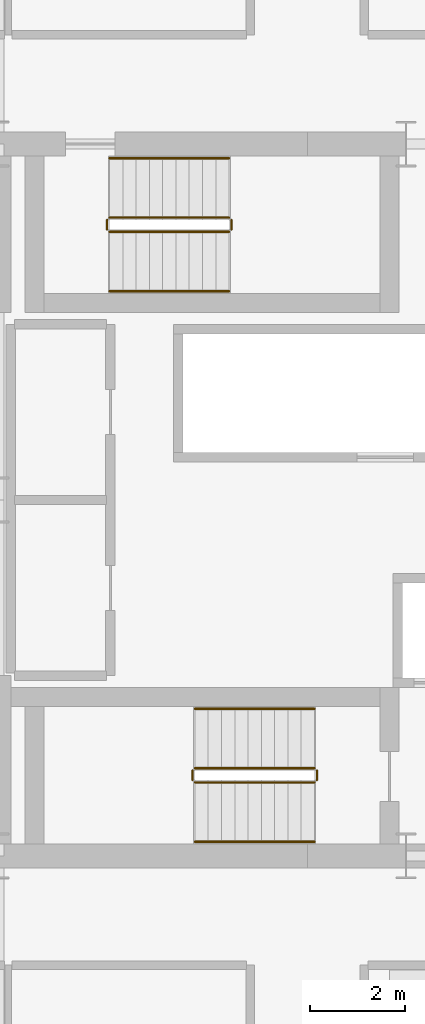
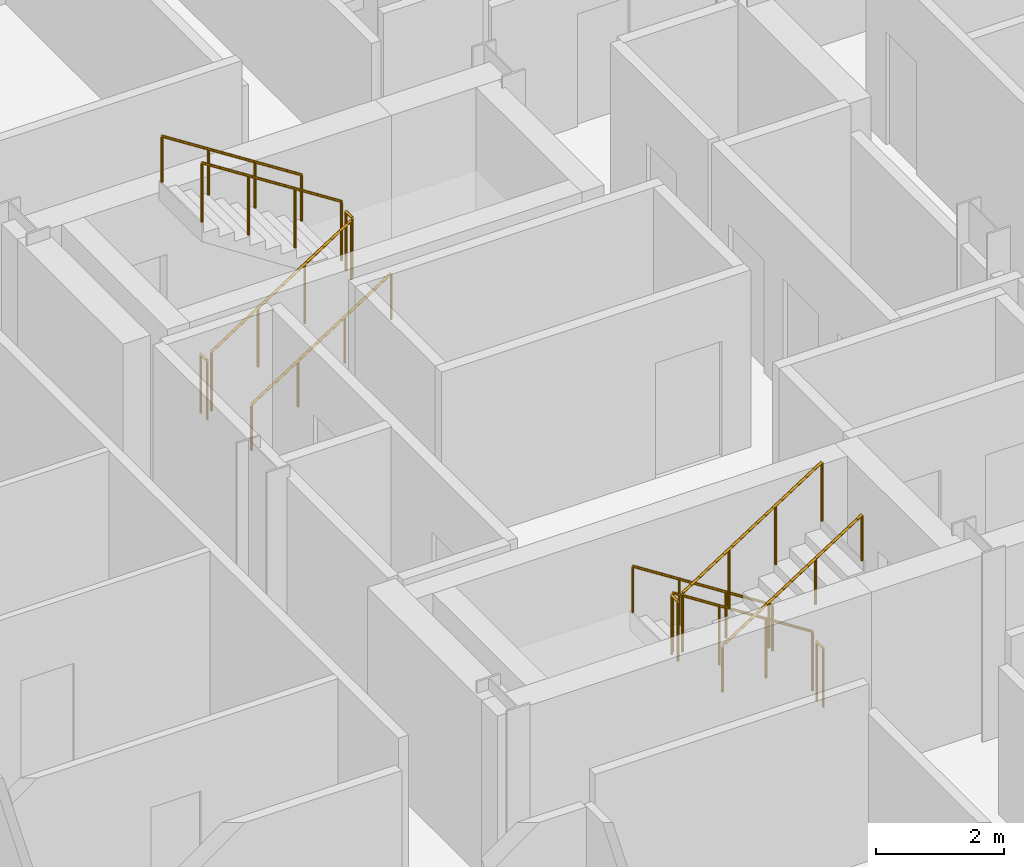
# One storey, part 22 of 23: 12 railings.
"""IFC4 building model written with IfcOpenShell, lengths in metres."""

from ifc_helpers import new_model, si_unit, direction, frame, origin, origin_2d, place, context, subcontext, project, spatial, circle, extrude, material, type_object, element, save


model = new_model("IFC4")

# Units and contexts
model_context = context("Model", 3, precision=1e-05, world=origin(), true_north=direction((0.0, 1.0)))
body_context = subcontext(model_context, "Body", "Model", "MODEL_VIEW")
ifc_project = project(units=[si_unit("LENGTHUNIT", "METRE"), si_unit("AREAUNIT", "SQUARE_METRE"), si_unit("VOLUMEUNIT", "CUBIC_METRE"), si_unit("PLANEANGLEUNIT", "RADIAN"), si_unit("MASSUNIT", "GRAM", prefix="KILO")], contexts=[model_context])

# Site, building, storey
site_placement = place(None, origin())
site = spatial("IfcSite", under=ifc_project, at=site_placement, CompositionType="ELEMENT")
building_placement = place(site_placement, origin())
building = spatial("IfcBuilding", under=site, at=building_placement, Name="Barlavira Tower and Art Museum", CompositionType="ELEMENT")
storey_placement = place(building_placement, frame((0.0, 0.0, 140.39990234375)))
storey = spatial("IfcBuildingStorey", under=building, at=storey_placement, Name="L35", CompositionType="ELEMENT", Elevation=140.39990234375)

# Railings
ifc_material = material(Name="Brushed stainless steel", Category="steel")
railing_type_1 = type_object("IfcRailingType", Name="Interior Void and Landing Guard Railing 1150", PredefinedType="GUARDRAIL", material=ifc_material)
railing_1_placement = place(storey_placement, frame((0.14990234375, -5.64990234375, 0.18017578125)))
element("IfcRailing", 1, at=railing_1_placement, inside=storey, type_object=railing_type_1, Name="L35 ST-T1 stair guard 1", PredefinedType="GUARDRAIL", context=body_context, shape_type="SweptSolid", body=[
    extrude(circle(Radius=0.02392578125, at=origin_2d()), frame((0.0, 0.0, 1.1259765625), z_axis=(-0.841199657755, 0.0, 0.540724639528), x_axis=(0.0, -1.0, 0.0)), (0.0, 0.0, 1.0), 2.995849609375),
    extrude(circle(Radius=0.02099609375, at=origin_2d()), origin(), (0.0, 0.0, 1.0), 1.101806640625),
    extrude(circle(Radius=0.02099609375, at=origin_2d()), frame((-0.840087890625, 0.0, 0.5400390625)), (0.0, 0.0, 1.0), 1.101806640625),
    extrude(circle(Radius=0.02099609375, at=origin_2d()), frame((-1.679931640625, 0.0, 1.079833984375)), (0.0, 0.0, 1.0), 1.101806640625),
    extrude(circle(Radius=0.02099609375, at=origin_2d()), frame((-2.52001953125, 0.0, 1.619873046875)), (0.0, 0.0, 1.0), 1.101806640625),
])
railing_2_placement = place(storey_placement, frame((-2.419921875, -5.699951171875, 1.800048828125)))
element("IfcRailing", 2, at=railing_2_placement, inside=storey, type_object=railing_type_1, Name="L35 ST-T1 stair guard 2", PredefinedType="GUARDRAIL", context=body_context, shape_type="SweptSolid", body=[
    extrude(circle(Radius=0.02392578125, at=origin_2d()), frame((0.0, 0.0, 1.1259765625), z_axis=(0.0, -1.0, 0.0), x_axis=(1.0, 0.0, 0.0)), (0.0, 0.0, 1.0), 0.199951171875),
    extrude(circle(Radius=0.02099609375, at=origin_2d()), origin(), (0.0, 0.0, 1.0), 1.101806640625),
    extrude(circle(Radius=0.02099609375, at=origin_2d()), frame((0.0, -0.199951171875, 0.0)), (0.0, 0.0, 1.0), 1.101806640625),
])
railing_3_placement = place(storey_placement, frame((-2.3701171875, -5.949951171875, 1.97998046875)))
element("IfcRailing", 3, at=railing_3_placement, inside=storey, type_object=railing_type_1, Name="L35 ST-T1 stair guard 3", PredefinedType="GUARDRAIL", context=body_context, shape_type="SweptSolid", body=[
    extrude(circle(Radius=0.02392578125, at=origin_2d()), frame((0.0, 0.0, 1.1259765625), z_axis=(0.841162588446, 0.0, 0.540782303519), x_axis=(0.0, 1.0, 0.0)), (0.0, 0.0, 1.0), 2.995849609375),
    extrude(circle(Radius=0.02099609375, at=origin_2d()), origin(), (0.0, 0.0, 1.0), 1.101806640625),
    extrude(circle(Radius=0.02099609375, at=origin_2d()), frame((0.840087890625, 0.0, 0.5400390625)), (0.0, 0.0, 1.0), 1.101806640625),
    extrude(circle(Radius=0.02099609375, at=origin_2d()), frame((1.679931640625, 0.0, 1.080078125)), (0.0, 0.0, 1.0), 1.101806640625),
    extrude(circle(Radius=0.02099609375, at=origin_2d()), frame((2.52001953125, 0.0, 1.6201171875)), (0.0, 0.0, 1.0), 1.101806640625),
])
railing_4_placement = place(storey_placement, frame((0.199951171875, -5.699951171875, 0.0)))
element("IfcRailing", 4, at=railing_4_placement, inside=storey, type_object=railing_type_1, Name="L35 ST-T1 stair guard 4", PredefinedType="GUARDRAIL", context=body_context, shape_type="SweptSolid", body=[
    extrude(circle(Radius=0.02392578125, at=origin_2d()), frame((0.0, 0.0, 1.1259765625), z_axis=(0.0, -1.0, 0.0), x_axis=(1.0, 0.0, 0.0)), (0.0, 0.0, 1.0), 0.199951171875),
    extrude(circle(Radius=0.02099609375, at=origin_2d()), origin(), (0.0, 0.0, 1.0), 1.101806640625),
    extrude(circle(Radius=0.02099609375, at=origin_2d()), frame((0.0, -0.199951171875, 0.0)), (0.0, 0.0, 1.0), 1.101806640625),
])
railing_5_placement = place(storey_placement, frame((-4.169921875, 5.64990234375, 0.18017578125)))
element("IfcRailing", 5, at=railing_5_placement, inside=storey, type_object=railing_type_1, Name="L35 ST-T2 stair guard 1", PredefinedType="GUARDRAIL", context=body_context, shape_type="SweptSolid", body=[
    extrude(circle(Radius=0.02392578125, at=origin_2d()), frame((0.0, 0.0, 1.1259765625), z_axis=(0.841199657755, 0.0, 0.540724639528), x_axis=(0.0, 1.0, 0.0)), (0.0, 0.0, 1.0), 2.995849609375),
    extrude(circle(Radius=0.02099609375, at=origin_2d()), origin(), (0.0, 0.0, 1.0), 1.101806640625),
    extrude(circle(Radius=0.02099609375, at=origin_2d()), frame((0.840087890625, 0.0, 0.5400390625)), (0.0, 0.0, 1.0), 1.101806640625),
    extrude(circle(Radius=0.02099609375, at=origin_2d()), frame((1.679931640625, 0.0, 1.079833984375)), (0.0, 0.0, 1.0), 1.101806640625),
    extrude(circle(Radius=0.02099609375, at=origin_2d()), frame((2.52001953125, 0.0, 1.619873046875)), (0.0, 0.0, 1.0), 1.101806640625),
])
railing_6_placement = place(storey_placement, frame((-1.60009765625, 5.699951171875, 1.800048828125)))
element("IfcRailing", 6, at=railing_6_placement, inside=storey, type_object=railing_type_1, Name="L35 ST-T2 stair guard 2", PredefinedType="GUARDRAIL", context=body_context, shape_type="SweptSolid", body=[
    extrude(circle(Radius=0.02392578125, at=origin_2d()), frame((0.0, 0.0, 1.1259765625), z_axis=(0.0, 1.0, 0.0), x_axis=(-1.0, 0.0, 0.0)), (0.0, 0.0, 1.0), 0.199951171875),
    extrude(circle(Radius=0.02099609375, at=origin_2d()), origin(), (0.0, 0.0, 1.0), 1.101806640625),
    extrude(circle(Radius=0.02099609375, at=origin_2d()), frame((0.0, 0.199951171875, 0.0)), (0.0, 0.0, 1.0), 1.101806640625),
])
railing_7_placement = place(storey_placement, frame((-1.64990234375, 5.949951171875, 1.97998046875)))
element("IfcRailing", 7, at=railing_7_placement, inside=storey, type_object=railing_type_1, Name="L35 ST-T2 stair guard 3", PredefinedType="GUARDRAIL", context=body_context, shape_type="SweptSolid", body=[
    extrude(circle(Radius=0.02392578125, at=origin_2d()), frame((0.0, 0.0, 1.1259765625), z_axis=(-0.841162588446, 0.0, 0.540782303519), x_axis=(0.0, -1.0, 0.0)), (0.0, 0.0, 1.0), 2.995849609375),
    extrude(circle(Radius=0.02099609375, at=origin_2d()), origin(), (0.0, 0.0, 1.0), 1.101806640625),
    extrude(circle(Radius=0.02099609375, at=origin_2d()), frame((-0.840087890625, 0.0, 0.5400390625)), (0.0, 0.0, 1.0), 1.101806640625),
    extrude(circle(Radius=0.02099609375, at=origin_2d()), frame((-1.679931640625, 0.0, 1.080078125)), (0.0, 0.0, 1.0), 1.101806640625),
    extrude(circle(Radius=0.02099609375, at=origin_2d()), frame((-2.52001953125, 0.0, 1.6201171875)), (0.0, 0.0, 1.0), 1.101806640625),
])
railing_8_placement = place(storey_placement, frame((-4.219970703125, 5.699951171875, 0.0)))
element("IfcRailing", 8, at=railing_8_placement, inside=storey, type_object=railing_type_1, Name="L35 ST-T2 stair guard 4", PredefinedType="GUARDRAIL", context=body_context, shape_type="SweptSolid", body=[
    extrude(circle(Radius=0.02392578125, at=origin_2d()), frame((0.0, 0.0, 1.1259765625), z_axis=(0.0, 1.0, 0.0), x_axis=(-1.0, 0.0, 0.0)), (0.0, 0.0, 1.0), 0.199951171875),
    extrude(circle(Radius=0.02099609375, at=origin_2d()), origin(), (0.0, 0.0, 1.0), 1.101806640625),
    extrude(circle(Radius=0.02099609375, at=origin_2d()), frame((0.0, 0.199951171875, 0.0)), (0.0, 0.0, 1.0), 1.101806640625),
])
railing_type_2 = type_object("IfcRailingType", Name="Stair Pitch Tubular Steel Handrail 920", PredefinedType="HANDRAIL", material=ifc_material)
railing_9_placement = place(storey_placement, frame((0.14990234375, -4.39990234375, 0.18017578125)))
element("IfcRailing", 9, at=railing_9_placement, inside=storey, type_object=railing_type_2, Name="L35 ST-T1 stair handrail 1", PredefinedType="HANDRAIL", context=body_context, shape_type="SweptSolid", body=[
    extrude(circle(Radius=0.02392578125, at=origin_2d()), frame((0.0, 0.0, 0.8759765625), z_axis=(-0.841199657755, 0.0, 0.540724639528), x_axis=(0.0, -1.0, 0.0)), (0.0, 0.0, 1.0), 2.995849609375),
    extrude(circle(Radius=0.02099609375, at=origin_2d()), origin(), (0.0, 0.0, 1.0), 0.851806640625),
    extrude(circle(Radius=0.02099609375, at=origin_2d()), frame((-0.840087890625, 0.0, 0.5400390625)), (0.0, 0.0, 1.0), 0.851806640625),
    extrude(circle(Radius=0.02099609375, at=origin_2d()), frame((-1.679931640625, 0.0, 1.079833984375)), (0.0, 0.0, 1.0), 0.851806640625),
    extrude(circle(Radius=0.02099609375, at=origin_2d()), frame((-2.52001953125, 0.0, 1.619873046875)), (0.0, 0.0, 1.0), 0.851806640625),
])
railing_10_placement = place(storey_placement, frame((-2.3701171875, -7.199951171875, 1.97998046875)))
element("IfcRailing", 10, at=railing_10_placement, inside=storey, type_object=railing_type_2, Name="L35 ST-T1 stair handrail 2", PredefinedType="HANDRAIL", context=body_context, shape_type="SweptSolid", body=[
    extrude(circle(Radius=0.02392578125, at=origin_2d()), frame((0.0, 0.0, 0.8759765625), z_axis=(0.841162588446, 0.0, 0.540782303519), x_axis=(0.0, 1.0, 0.0)), (0.0, 0.0, 1.0), 2.995849609375),
    extrude(circle(Radius=0.02099609375, at=origin_2d()), origin(), (0.0, 0.0, 1.0), 0.851806640625),
    extrude(circle(Radius=0.02099609375, at=origin_2d()), frame((0.840087890625, 0.0, 0.5400390625)), (0.0, 0.0, 1.0), 0.851806640625),
    extrude(circle(Radius=0.02099609375, at=origin_2d()), frame((1.679931640625, 0.0, 1.080078125)), (0.0, 0.0, 1.0), 0.851806640625),
    extrude(circle(Radius=0.02099609375, at=origin_2d()), frame((2.52001953125, 0.0, 1.6201171875)), (0.0, 0.0, 1.0), 0.851806640625),
])
railing_11_placement = place(storey_placement, frame((-4.169921875, 4.39990234375, 0.18017578125)))
element("IfcRailing", 11, at=railing_11_placement, inside=storey, type_object=railing_type_2, Name="L35 ST-T2 stair handrail 1", PredefinedType="HANDRAIL", context=body_context, shape_type="SweptSolid", body=[
    extrude(circle(Radius=0.02392578125, at=origin_2d()), frame((0.0, 0.0, 0.8759765625), z_axis=(0.841199657755, 0.0, 0.540724639528), x_axis=(0.0, 1.0, 0.0)), (0.0, 0.0, 1.0), 2.995849609375),
    extrude(circle(Radius=0.02099609375, at=origin_2d()), origin(), (0.0, 0.0, 1.0), 0.851806640625),
    extrude(circle(Radius=0.02099609375, at=origin_2d()), frame((0.840087890625, 0.0, 0.5400390625)), (0.0, 0.0, 1.0), 0.851806640625),
    extrude(circle(Radius=0.02099609375, at=origin_2d()), frame((1.679931640625, 0.0, 1.079833984375)), (0.0, 0.0, 1.0), 0.851806640625),
    extrude(circle(Radius=0.02099609375, at=origin_2d()), frame((2.52001953125, 0.0, 1.619873046875)), (0.0, 0.0, 1.0), 0.851806640625),
])
railing_12_placement = place(storey_placement, frame((-1.64990234375, 7.199951171875, 1.97998046875)))
element("IfcRailing", 12, at=railing_12_placement, inside=storey, type_object=railing_type_2, Name="L35 ST-T2 stair handrail 2", PredefinedType="HANDRAIL", context=body_context, shape_type="SweptSolid", body=[
    extrude(circle(Radius=0.02392578125, at=origin_2d()), frame((0.0, 0.0, 0.8759765625), z_axis=(-0.841162588446, 0.0, 0.540782303519), x_axis=(0.0, -1.0, 0.0)), (0.0, 0.0, 1.0), 2.995849609375),
    extrude(circle(Radius=0.02099609375, at=origin_2d()), origin(), (0.0, 0.0, 1.0), 0.851806640625),
    extrude(circle(Radius=0.02099609375, at=origin_2d()), frame((-0.840087890625, 0.0, 0.5400390625)), (0.0, 0.0, 1.0), 0.851806640625),
    extrude(circle(Radius=0.02099609375, at=origin_2d()), frame((-1.679931640625, 0.0, 1.080078125)), (0.0, 0.0, 1.0), 0.851806640625),
    extrude(circle(Radius=0.02099609375, at=origin_2d()), frame((-2.52001953125, 0.0, 1.6201171875)), (0.0, 0.0, 1.0), 0.851806640625),
])

save(model, "model.ifc")
